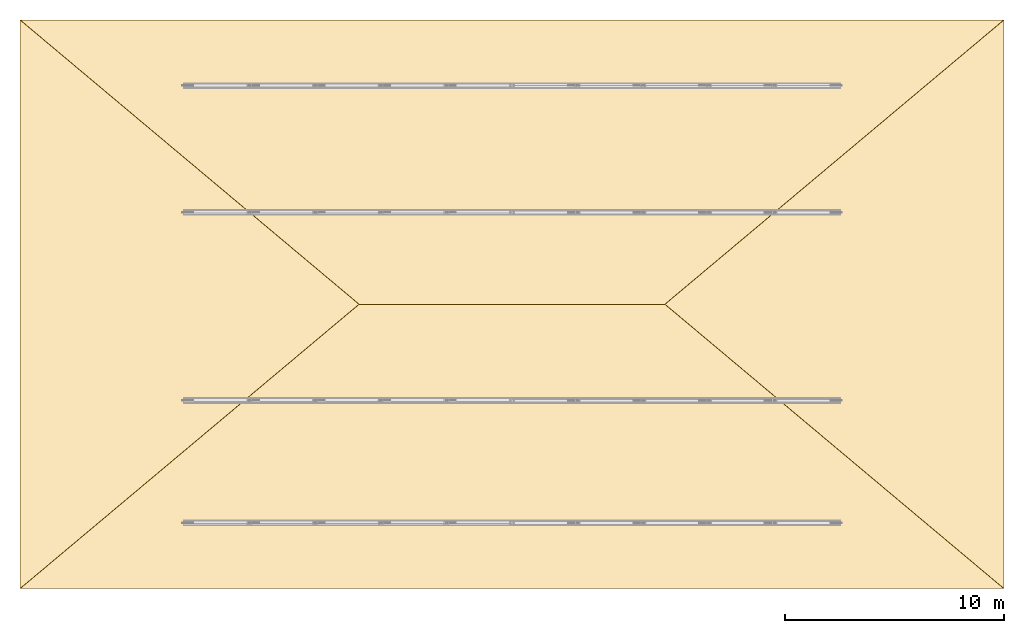
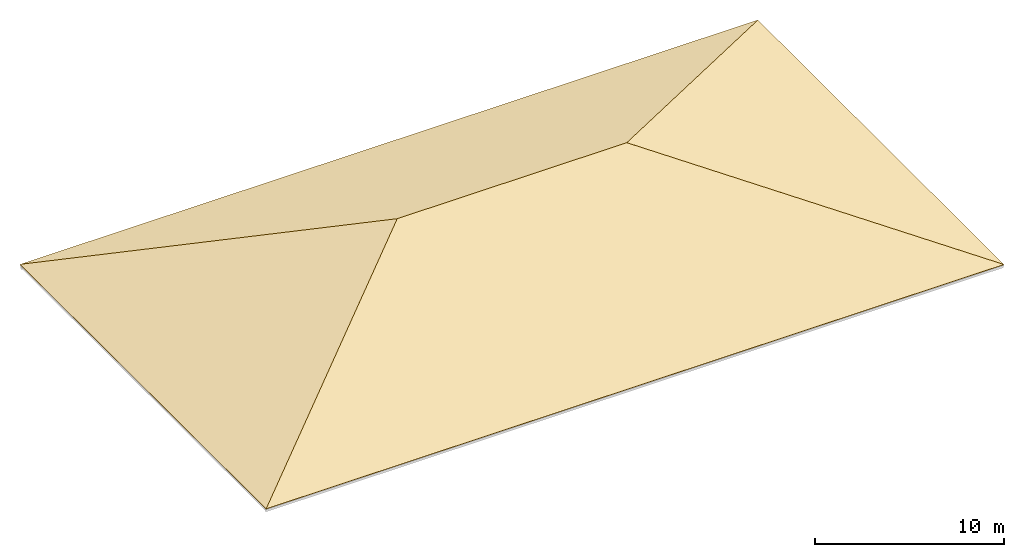
# One storey, part 6 of 6: 4 coverings.
"""IFC4 building model written with IfcOpenShell, lengths in metres."""

from ifc_helpers import new_model, si_unit, direction, frame, origin, place, context, subcontext, project, spatial, polyline, outline, extrude, material, layer, layer_set, type_object, element, save


model = new_model("IFC4")

# Units and contexts
model_context = context("Model", 3, precision=1e-05, world=origin(), true_north=direction((0.0, 1.0)))
body_context = subcontext(model_context, "Body", "Model", "MODEL_VIEW")
ifc_project = project(units=[si_unit("LENGTHUNIT", "METRE"), si_unit("AREAUNIT", "SQUARE_METRE"), si_unit("VOLUMEUNIT", "CUBIC_METRE"), si_unit("PLANEANGLEUNIT", "RADIAN"), si_unit("MASSUNIT", "GRAM", prefix="KILO")], contexts=[model_context])

# Site, building, storey
site_placement = place(None, origin())
site = spatial("IfcSite", under=ifc_project, at=site_placement, CompositionType="ELEMENT")
building_placement = place(site_placement, origin())
building = spatial("IfcBuilding", under=site, at=building_placement, Name="Muzn Square Opera House", CompositionType="ELEMENT")
storey_placement = place(building_placement, frame((0.0, 0.0, 35.39990234375)))
storey = spatial("IfcBuildingStorey", under=building, at=storey_placement, Name="RF-2", CompositionType="ELEMENT", Elevation=35.39990234375)

# Coverings
ifc_material = material(Name="Patina green copper-zinc standing seam", Category="metal")
ifc_layer = layer(ifc_material, 0.0400390625, Name="Patina green copper-zinc standing seam", Category="metal")
ifc_layer_set = layer_set([ifc_layer], Name="Patina green copper-zinc standing seam")
covering_type = type_object("IfcCoveringType", Name="Standing Seam Green Vault Roofing", PredefinedType="ROOFING", material=ifc_layer_set)
for number, where, z_axis, x_axis, name in (
    (1, (95.0, 85.60009765625, 5.440185546875), (0.0, -0.383615202937, 0.923493029793), (-1.0, 0.0, 0.0), "Fly Tower Hipped Standing Seam Roofing FTCOV-S"),
    (2, (81.0, 85.60009765625, 5.440185546875), (0.0, 0.383615202937, 0.923493029793), (1.0, 0.0, 0.0), "Fly Tower Hipped Standing Seam Roofing FTCOV-N"),
):
    element("IfcCovering", number, at=place(storey_placement, frame(where, z_axis=z_axis, x_axis=x_axis)), inside=storey, type_object=covering_type, Name=name, PredefinedType="ROOFING", context=body_context, shape_type="SweptSolid", body=[
        extrude(outline(polyline([(29.5, 14.076987676797463), (-15.5, 14.076987676797463), (0.0, 0.0), (14.0, 0.0), (29.5, 14.076987676797463)])), origin(), (0.0, 0.0, -1.0), 0.0400390625),
    ])
for number, where, z_axis, x_axis, name in (
    (3, (81.0, 85.60009765625, 5.440185546875), (-0.329001145124, 0.0, 0.944329522205), (-0.740270918891, 0.620872383586, -0.257907832267), "Fly Tower Hipped Standing Seam Roofing FTCOV-W"),
    (4, (95.0, 85.60009765625, 5.440185546875), (0.329001145124, 0.0, 0.944329522205), (0.740270918891, -0.620872383586, -0.257907832267), "Fly Tower Hipped Standing Seam Roofing FTCOV-E"),
):
    element("IfcCovering", number, at=place(storey_placement, frame(where, z_axis=z_axis, x_axis=x_axis)), inside=storey, type_object=covering_type, Name=name, PredefinedType="ROOFING", context=body_context, shape_type="SweptSolid", body=[
        extrude(outline(polyline([(20.93828030313635, 4.440892098500626e-16), (4.795598329900426, 20.381703037552185), (0.0, 0.0), (20.93828030313635, 4.440892098500626e-16)])), origin(), (0.0, 0.0, -1.0), 0.0400390625),
    ])

save(model, "model.ifc")
